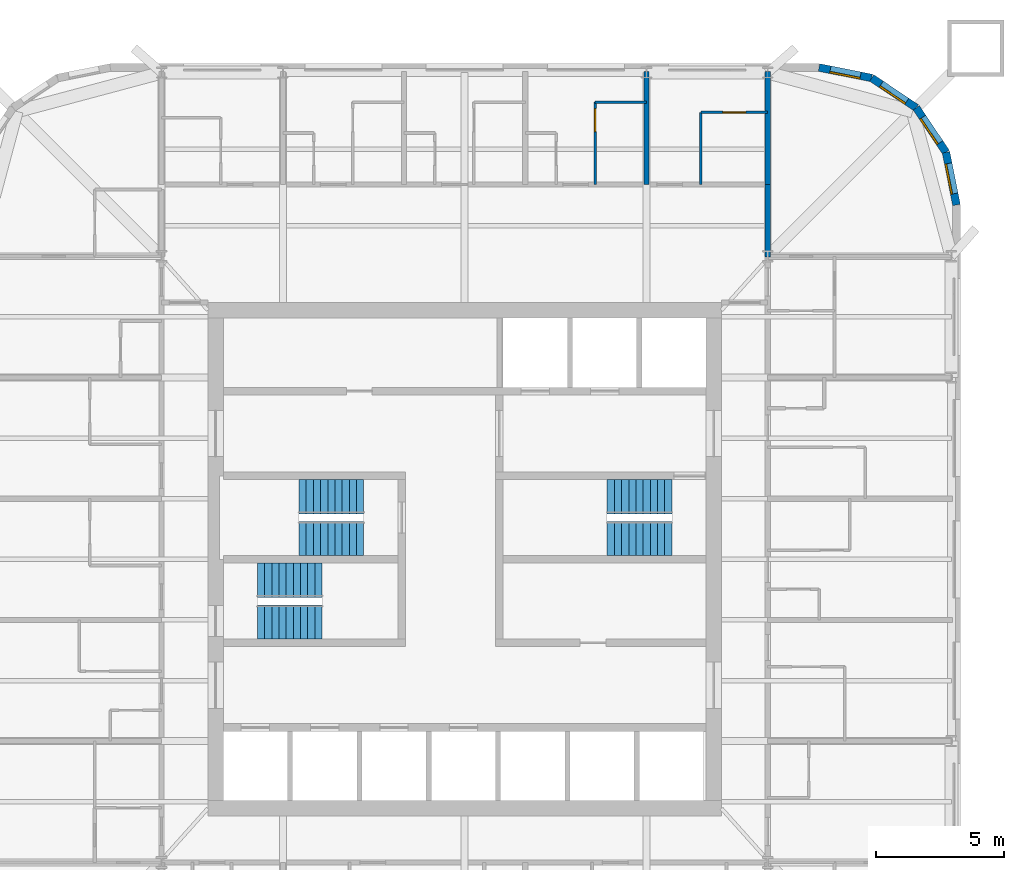
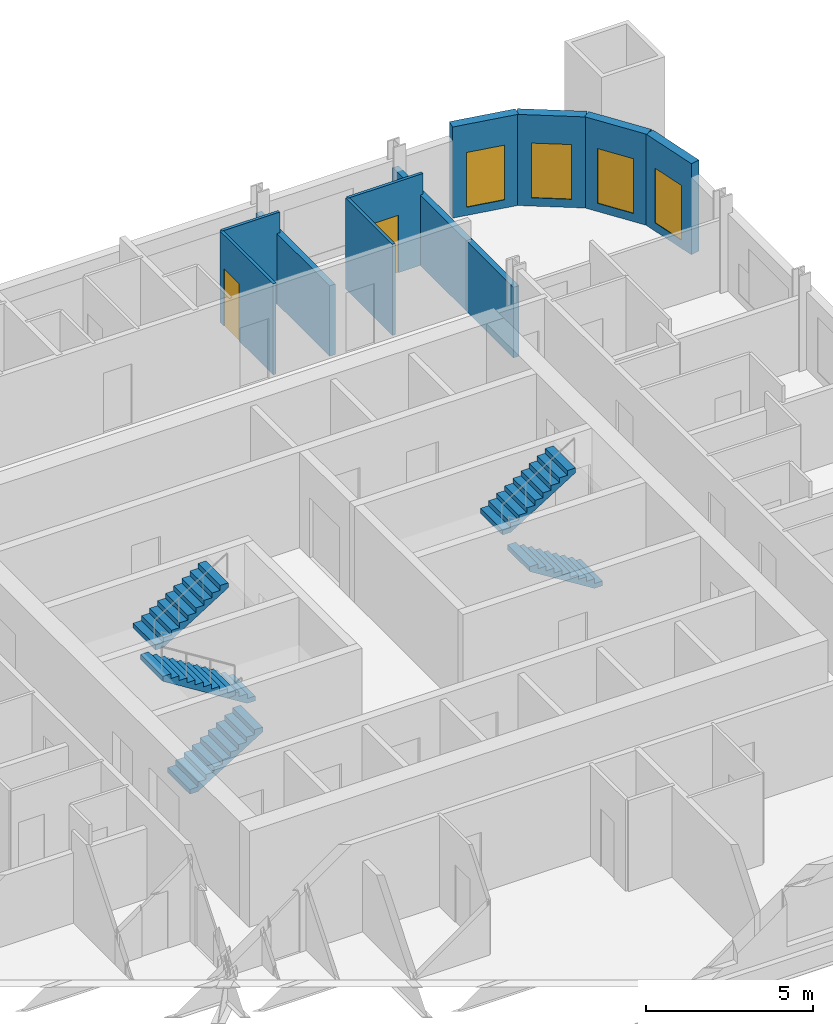
# One storey, part 8 of 9: 11 walls, 6 stair flights, 4 windows, 2 doors, 6 openings, 3 elements without a shape of their own.
"""IFC4 building model written with IfcOpenShell, lengths in metres."""

from ifc_helpers import new_model, si_unit, direction, frame, frame_2d, origin, place, context, subcontext, project, spatial, polyline, rectangle, outline, extrude, material, layer, layer_set, type_object, element, fill, aggregate, save


model = new_model("IFC4")

# Units and contexts
model_context = context("Model", 3, precision=1e-05, world=origin(), true_north=direction((0.0, 1.0)))
body_context = subcontext(model_context, "Body", "Model", "MODEL_VIEW")
ifc_project = project(units=[si_unit("LENGTHUNIT", "METRE"), si_unit("AREAUNIT", "SQUARE_METRE"), si_unit("VOLUMEUNIT", "CUBIC_METRE"), si_unit("PLANEANGLEUNIT", "RADIAN"), si_unit("MASSUNIT", "GRAM", prefix="KILO")], contexts=[model_context])

# Site, building, storey
site_placement = place(None, origin())
site = spatial("IfcSite", under=ifc_project, at=site_placement, CompositionType="ELEMENT")
building_placement = place(site_placement, origin())
building = spatial("IfcBuilding", under=site, at=building_placement, Name="Turquesa Mirador Hotel Tower", CompositionType="ELEMENT")
storey_placement = place(building_placement, frame((0.0, 0.0, 172.300048828125)))
storey = spatial("IfcBuildingStorey", under=building, at=storey_placement, Name="L46", CompositionType="ELEMENT", Elevation=172.300048828125)

# Wall, opening, door
ifc_material_1 = material(Name="Gypsum board on steel studs", Category="steel")
ifc_layer_1 = layer(ifc_material_1, 0.10009765625)
ifc_layer_set_1 = layer_set([ifc_layer_1], Name="BATHROOM WALL 100")
wall_type_1 = type_object("IfcWallType", Name="BATHROOM WALL 100", PredefinedType="PARTITIONING", material=ifc_layer_set_1)
wall_1_placement = place(storey_placement, frame((64.199951171875, 62.39990234375, 0.0), z_axis=(0.0, 0.0, 1.0), x_axis=(1.0, 0.0, 0.0)))
wall_1 = element("IfcWall", 1, at=wall_1_placement, inside=storey, type_object=wall_type_1, Name="Partition L46 035", PredefinedType="PARTITIONING", context=body_context, shape_type="SweptSolid", body=[
    extrude(rectangle(XDim=2.60009765625, YDim=0.10009765625, at=frame_2d((1.300048828125, 0.0))), origin(), (0.0, 0.0, 1.0), 3.329833984375),
])
opening_1_placement = place(wall_1_placement, frame((0.85009765625, 0.0, 0.0)))
opening_1 = element("IfcOpeningElement", 2, at=opening_1_placement, cuts=wall_1, Name="Opening D02", PredefinedType="OPENING", context=body_context, shape_type="SweptSolid", body=[
    extrude(rectangle(XDim=0.89990234375, YDim=2.10009765625, at=frame_2d((0.449951171875, 1.050048828125))), frame((0.0, 0.06005859375, 0.0), z_axis=(0.0, -1.0, 0.0), x_axis=(1.0, 0.0, 0.0)), (0.0, 0.0, 1.0), 0.1201171875),
])
ifc_material_2 = material(Name="Timber veneered door", Category="wood")
door_type = type_object("IfcDoorType", Name="DOOR 900X2100 EN-SUITE", OperationType="SINGLE_SWING_RIGHT", PredefinedType="DOOR", material=ifc_material_2)
door_1_placement = place(opening_1_placement, origin())
door_1 = element("IfcDoor", 3, at=door_1_placement, inside=storey, type_object=door_type, Name="Door 4605B", OperationType="SINGLE_SWING_RIGHT", OverallHeight=2.10009765625, OverallWidth=0.89990234375, PredefinedType="DOOR", context=body_context, shape_type="SweptSolid", body=[
    extrude(rectangle(XDim=0.89990234375, YDim=2.10009765625, at=frame_2d((0.449951171875, 1.050048828125))), frame((0.0, 0.02490234375, 0.0), z_axis=(0.0, -1.0, 0.0), x_axis=(1.0, 0.0, 0.0)), (0.0, 0.0, 1.0), 0.050048828125),
])
fill(opening_1, door_1)

# Wall
wall_2_placement = place(storey_placement, frame((60.080078125, 62.800048828125, 0.0), z_axis=(0.0, 0.0, 1.0), x_axis=(1.0, 0.0, 0.0)))
element("IfcWall", 4, at=wall_2_placement, inside=storey, type_object=wall_type_1, Name="Partition L46 038", PredefinedType="PARTITIONING", context=body_context, shape_type="SweptSolid", body=[
    extrude(rectangle(XDim=2.0, YDim=0.10009765625, at=frame_2d((1.0, 0.0))), origin(), (0.0, 0.0, 1.0), 3.329833984375),
])

# Wall, opening, door
wall_3_placement = place(storey_placement, frame((60.080078125, 59.60009765625, 0.0), z_axis=(0.0, 0.0, 1.0), x_axis=(0.0, 1.0, 0.0)))
wall_3 = element("IfcWall", 5, at=wall_3_placement, inside=storey, type_object=wall_type_1, Name="Partition L46 089", PredefinedType="PARTITIONING", context=body_context, shape_type="SweptSolid", body=[
    extrude(rectangle(XDim=3.199951171875, YDim=0.10009765625, at=frame_2d((1.60009765625, 0.0))), origin(), (0.0, 0.0, 1.0), 3.329833984375),
])
opening_2_placement = place(wall_3_placement, frame((2.050048828125, 0.0, 0.0)))
opening_2 = element("IfcOpeningElement", 6, at=opening_2_placement, cuts=wall_3, Name="Opening D02", PredefinedType="OPENING", context=body_context, shape_type="SweptSolid", body=[
    extrude(rectangle(XDim=0.89990234375, YDim=2.10009765625, at=frame_2d((0.449951171875, 1.050048828125))), frame((0.0, 0.06005859375, 0.0), z_axis=(0.0, -1.0, 0.0), x_axis=(1.0, 0.0, 0.0)), (0.0, 0.0, 1.0), 0.1201171875),
])
door_2_placement = place(opening_2_placement, origin())
door_2 = element("IfcDoor", 7, at=door_2_placement, inside=storey, type_object=door_type, Name="Door 4604B", OperationType="SINGLE_SWING_RIGHT", OverallHeight=2.10009765625, OverallWidth=0.89990234375, PredefinedType="DOOR", context=body_context, shape_type="SweptSolid", body=[
    extrude(rectangle(XDim=0.89990234375, YDim=2.10009765625, at=frame_2d((0.449951171875, 1.050048828125))), frame((0.0, 0.02490234375, 0.0), z_axis=(0.0, -1.0, 0.0), x_axis=(1.0, 0.0, 0.0)), (0.0, 0.0, 1.0), 0.050048828125),
])
fill(opening_2, door_2)

# Walls
wall_4_placement = place(storey_placement, frame((64.199951171875, 59.60009765625, 0.0), z_axis=(0.0, 0.0, 1.0), x_axis=(0.0, 1.0, 0.0)))
element("IfcWall", 8, at=wall_4_placement, inside=storey, type_object=wall_type_1, Name="Partition L46 091", PredefinedType="PARTITIONING", context=body_context, shape_type="SweptSolid", body=[
    extrude(rectangle(XDim=2.7998046875, YDim=0.10009765625, at=frame_2d((1.39990234375, 0.0))), origin(), (0.0, 0.0, 1.0), 3.329833984375),
])
ifc_material_3 = material(Name="Fire-rated gypsum board on steel studs", Category="steel")
ifc_layer_2 = layer(ifc_material_3, 0.199951171875)
ifc_layer_set_2 = layer_set([ifc_layer_2], Name="CORRIDOR WALL 200")
wall_type_2 = type_object("IfcWallType", Name="CORRIDOR WALL 200", PredefinedType="PARTITIONING", material=ifc_layer_set_2)
wall_5_placement = place(storey_placement, frame((66.800048828125, 56.780029296875, 0.0), z_axis=(0.0, 0.0, 1.0), x_axis=(0.0, 1.0, 0.0)))
element("IfcWall", 9, at=wall_5_placement, inside=storey, type_object=wall_type_2, Name="Partition L46 093", PredefinedType="PARTITIONING", context=body_context, shape_type="SweptSolid", body=[
    extrude(rectangle(XDim=2.820068359375, YDim=0.199951171875, at=frame_2d((1.41015625, 0.0))), origin(), (0.0, 0.0, 1.0), 2.572998046875),
])

# Wall, opening, window
ifc_material_4 = material(Name="Limestone cladding on concrete block", Category="masonry")
ifc_layer_3 = layer(ifc_material_4, 0.300048828125)
ifc_layer_set_3 = layer_set([ifc_layer_3], Name="FACADE WALL 300 STONE SCREEN")
wall_type_3 = type_object("IfcWallType", Name="FACADE WALL 300 STONE SCREEN", PredefinedType="SOLIDWALL", material=ifc_layer_set_3)
wall_6_placement = place(storey_placement, frame((74.14990234375, 58.800048828125, 0.0), z_axis=(0.0, 0.0, 1.0), x_axis=(-0.195081421501, 0.980787050784, 0.0)))
wall_6 = element("IfcWall", 10, at=wall_6_placement, inside=storey, type_object=wall_type_3, Name="Facade wall L46 05", PredefinedType="SOLIDWALL", context=body_context, shape_type="SweptSolid", body=[
    extrude(rectangle(XDim=2.08740234375, YDim=0.300048828125, at=frame_2d((1.043701171875, 0.0))), origin(), (0.0, 0.0, 1.0), 3.329833984375),
])
opening_3_placement = place(wall_6_placement, frame((0.443603515625, 0.0, 0.300048828125)))
opening_3 = element("IfcOpeningElement", 11, at=opening_3_placement, cuts=wall_6, Name="Opening WN4", PredefinedType="OPENING", context=body_context, shape_type="SweptSolid", body=[
    extrude(rectangle(XDim=1.199951171875, YDim=2.0, at=frame_2d((0.60009765625, 1.0))), frame((0.0, 0.159912109375, 0.0), z_axis=(0.0, -1.0, 0.0), x_axis=(1.0, 0.0, 0.0)), (0.0, 0.0, 1.0), 0.320068359375),
])
ifc_material_5 = material(Name="Ceramic-fritted laminated glass", Category="glass")
window_type = type_object("IfcWindowType", Name="FRITTED CORNER WINDOW 1200X2000", PartitioningType="DOUBLE_PANEL_HORIZONTAL", PredefinedType="WINDOW", material=ifc_material_5)
window_1_placement = place(opening_3_placement, origin())
window_1 = element("IfcWindow", 12, at=window_1_placement, inside=storey, type_object=window_type, Name="Window L46", OverallHeight=2.0, OverallWidth=1.199951171875, PartitioningType="SINGLE_PANEL", PredefinedType="WINDOW", context=body_context, shape_type="SweptSolid", body=[
    extrude(rectangle(XDim=1.199951171875, YDim=2.0, at=frame_2d((0.60009765625, 1.0))), frame((0.0, 0.130126953125, 0.0), z_axis=(0.0, -1.0, 0.0), x_axis=(1.0, 0.0, 0.0)), (0.0, 0.0, 1.0), 0.06005859375),
])
fill(opening_3, window_1)

wall_7_placement = place(storey_placement, frame((73.74267578125, 60.847412109375, 0.0), z_axis=(0.0, 0.0, 1.0), x_axis=(-0.555563607591, 0.831474039234, 0.0)))
wall_7 = element("IfcWall", 13, at=wall_7_placement, inside=storey, type_object=wall_type_3, Name="Facade wall L46 06", PredefinedType="SOLIDWALL", context=body_context, shape_type="SweptSolid", body=[
    extrude(rectangle(XDim=2.08740234375, YDim=0.300048828125, at=frame_2d((1.043701171875, 0.0))), origin(), (0.0, 0.0, 1.0), 3.329833984375),
])
opening_4_placement = place(wall_7_placement, frame((0.443603515625, 0.0, 0.300048828125)))
opening_4 = element("IfcOpeningElement", 14, at=opening_4_placement, cuts=wall_7, Name="Opening WN4", PredefinedType="OPENING", context=body_context, shape_type="SweptSolid", body=[
    extrude(rectangle(XDim=1.199951171875, YDim=2.0, at=frame_2d((0.60009765625, 1.0))), frame((0.0, 0.159912109375, 0.0), z_axis=(0.0, -1.0, 0.0), x_axis=(1.0, 0.0, 0.0)), (0.0, 0.0, 1.0), 0.320068359375),
])
window_2_placement = place(opening_4_placement, origin())
window_2 = element("IfcWindow", 15, at=window_2_placement, inside=storey, type_object=window_type, Name="Window L46", OverallHeight=2.0, OverallWidth=1.199951171875, PartitioningType="SINGLE_PANEL", PredefinedType="WINDOW", context=body_context, shape_type="SweptSolid", body=[
    extrude(rectangle(XDim=1.199951171875, YDim=2.0, at=frame_2d((0.60009765625, 1.0))), frame((0.0, 0.130126953125, 0.0), z_axis=(0.0, -1.0, 0.0), x_axis=(1.0, 0.0, 0.0)), (0.0, 0.0, 1.0), 0.06005859375),
])
fill(opening_4, window_2)

wall_8_placement = place(storey_placement, frame((72.5830078125, 62.5830078125, 0.0), z_axis=(0.0, 0.0, 1.0), x_axis=(-0.831474039234, 0.555563607591, 0.0)))
wall_8 = element("IfcWall", 16, at=wall_8_placement, inside=storey, type_object=wall_type_3, Name="Facade wall L46 07", PredefinedType="SOLIDWALL", context=body_context, shape_type="SweptSolid", body=[
    extrude(rectangle(XDim=2.08740234375, YDim=0.300048828125, at=frame_2d((1.043701171875, 0.0))), origin(), (0.0, 0.0, 1.0), 3.329833984375),
])
opening_5_placement = place(wall_8_placement, frame((0.443603515625, 0.0, 0.300048828125)))
opening_5 = element("IfcOpeningElement", 17, at=opening_5_placement, cuts=wall_8, Name="Opening WN4", PredefinedType="OPENING", context=body_context, shape_type="SweptSolid", body=[
    extrude(rectangle(XDim=1.199951171875, YDim=2.0, at=frame_2d((0.60009765625, 1.0))), frame((0.0, 0.159912109375, 0.0), z_axis=(0.0, -1.0, 0.0), x_axis=(1.0, 0.0, 0.0)), (0.0, 0.0, 1.0), 0.320068359375),
])
window_3_placement = place(opening_5_placement, origin())
window_3 = element("IfcWindow", 18, at=window_3_placement, inside=storey, type_object=window_type, Name="Window L46", OverallHeight=2.0, OverallWidth=1.199951171875, PartitioningType="SINGLE_PANEL", PredefinedType="WINDOW", context=body_context, shape_type="SweptSolid", body=[
    extrude(rectangle(XDim=1.199951171875, YDim=2.0, at=frame_2d((0.60009765625, 1.0))), frame((0.0, 0.130126953125, 0.0), z_axis=(0.0, -1.0, 0.0), x_axis=(1.0, 0.0, 0.0)), (0.0, 0.0, 1.0), 0.06005859375),
])
fill(opening_5, window_3)

wall_9_placement = place(storey_placement, frame((70.847412109375, 63.74267578125, 0.0), z_axis=(0.0, 0.0, 1.0), x_axis=(-0.980787050784, 0.195081421501, 0.0)))
wall_9 = element("IfcWall", 19, at=wall_9_placement, inside=storey, type_object=wall_type_3, Name="Facade wall L46 08", PredefinedType="SOLIDWALL", context=body_context, shape_type="SweptSolid", body=[
    extrude(rectangle(XDim=2.08740234375, YDim=0.300048828125, at=frame_2d((1.043701171875, 0.0))), origin(), (0.0, 0.0, 1.0), 3.329833984375),
])
opening_6_placement = place(wall_9_placement, frame((0.443603515625, 0.0, 0.300048828125)))
opening_6 = element("IfcOpeningElement", 20, at=opening_6_placement, cuts=wall_9, Name="Opening WN4", PredefinedType="OPENING", context=body_context, shape_type="SweptSolid", body=[
    extrude(rectangle(XDim=1.199951171875, YDim=2.0, at=frame_2d((0.60009765625, 1.0))), frame((0.0, 0.159912109375, 0.0), z_axis=(0.0, -1.0, 0.0), x_axis=(1.0, 0.0, 0.0)), (0.0, 0.0, 1.0), 0.320068359375),
])
window_4_placement = place(opening_6_placement, origin())
window_4 = element("IfcWindow", 21, at=window_4_placement, inside=storey, type_object=window_type, Name="Window L46", OverallHeight=2.0, OverallWidth=1.199951171875, PartitioningType="SINGLE_PANEL", PredefinedType="WINDOW", context=body_context, shape_type="SweptSolid", body=[
    extrude(rectangle(XDim=1.199951171875, YDim=2.0, at=frame_2d((0.60009765625, 1.0))), frame((0.0, 0.130126953125, 0.0), z_axis=(0.0, -1.0, 0.0), x_axis=(1.0, 0.0, 0.0)), (0.0, 0.0, 1.0), 0.06005859375),
])
fill(opening_6, window_4)

# Walls
ifc_material_6 = material(Name="Fire-rated gypsum board on steel studs", Category="steel")
ifc_layer_4 = layer(ifc_material_6, 0.199951171875)
ifc_layer_set_4 = layer_set([ifc_layer_4], Name="PARTY WALL 200")
wall_type_4 = type_object("IfcWallType", Name="PARTY WALL 200", PredefinedType="PARTITIONING", material=ifc_layer_set_4)
for number, where, z_axis, x_axis, name in (
    (22, (66.800048828125, 59.60009765625, 0.0), (0.0, 0.0, 1.0), (0.0, 1.0, 0.0), "Partition L46 075"),
    (23, (62.080078125, 59.60009765625, 0.0), (0.0, 0.0, 1.0), (0.0, 1.0, 0.0), "Partition L46 090"),
):
    element("IfcWall", number, at=place(storey_placement, frame(where, z_axis=z_axis, x_axis=x_axis)), inside=storey, type_object=wall_type_4, Name=name, PredefinedType="PARTITIONING", context=body_context, shape_type="SweptSolid", body=[
        extrude(rectangle(XDim=4.39990234375, YDim=0.199951171875, at=frame_2d((2.199951171875, 0.0))), origin(), (0.0, 0.0, 1.0), 2.572998046875),
    ])

# Stair, stair flights
ifc_material_7 = material(Name="Concrete C35/45", Category="concrete")
stair_type = type_object("IfcStairType", Name="ESCAPE STAIR CORE", PredefinedType="HALF_TURN_STAIR", material=ifc_material_7)
stair_1_placement = place(storey_placement, origin())
stair_1 = element("IfcStair", 24, at=stair_1_placement, inside=storey, type_object=stair_type, Name="Stair ST1 L46 to L47", PredefinedType="HALF_TURN_STAIR")
ifc_material_8 = material(Name="Concrete C35/45 precast flight", Category="concrete")
stair_flight_type = type_object("IfcStairFlightType", Name="STAIR FLIGHT 1330", PredefinedType="STRAIGHT", material=ifc_material_8)
stair_flight_1_placement = place(storey_placement, frame((51.070068359375, 45.81494140625, 0.0), z_axis=(0.0, 0.0, 1.0), x_axis=(-1.0, 0.0, 0.0)))
stair_flight_1 = element("IfcStairFlight", 25, at=stair_flight_1_placement, type_object=stair_flight_type, Name="ST1 flight 1", NumberOfRisers=10, NumberOfTreads=9, PredefinedType="STRAIGHT", RiserHeight=0.175, TreadLength=0.28, context=body_context, shape_type="SweptSolid", body=[
    extrude(outline(polyline([(0.0, 0.0), (0.0, 0.175048828125), (0.280029296875, 0.175048828125), (0.280029296875, 0.35009765625), (0.56005859375, 0.35009765625), (0.56005859375, 0.52490234375), (0.840087890625, 0.52490234375), (0.840087890625, 0.699951171875), (1.1201171875, 0.699951171875), (1.1201171875, 0.875), (1.39990234375, 0.875), (1.39990234375, 1.050048828125), (1.679931640625, 1.050048828125), (1.679931640625, 1.22509765625), (1.9599609375, 1.22509765625), (1.9599609375, 1.39990234375), (2.239990234375, 1.39990234375), (2.239990234375, 1.574951171875), (2.52001953125, 1.574951171875), (2.52001953125, 1.75), (2.52001953125, 1.398193359375), (0.28271484375, 0.0), (0.0, 0.0)])), frame((0.0, 0.6650390625, 0.0), z_axis=(0.0, -1.0, 0.0), x_axis=(1.0, 0.0, 0.0)), (0.0, 0.0, 1.0), 1.330078125),
])
stair_flight_2_placement = place(storey_placement, frame((48.550048828125, 47.43505859375, 1.75), z_axis=(0.0, 0.0, 1.0), x_axis=(1.0, 0.0, 0.0)))
stair_flight_2 = element("IfcStairFlight", 26, at=stair_flight_2_placement, type_object=stair_flight_type, Name="ST1 flight 2", NumberOfRisers=10, NumberOfTreads=9, PredefinedType="STRAIGHT", RiserHeight=0.175, TreadLength=0.28, context=body_context, shape_type="SweptSolid", body=[
    extrude(outline(polyline([(0.0, 0.0), (0.0, 0.175048828125), (0.280029296875, 0.175048828125), (0.280029296875, 0.35009765625), (0.56005859375, 0.35009765625), (0.56005859375, 0.52490234375), (0.840087890625, 0.52490234375), (0.840087890625, 0.699951171875), (1.1201171875, 0.699951171875), (1.1201171875, 0.875), (1.39990234375, 0.875), (1.39990234375, 1.050048828125), (1.679931640625, 1.050048828125), (1.679931640625, 1.22509765625), (1.9599609375, 1.22509765625), (1.9599609375, 1.39990234375), (2.239990234375, 1.39990234375), (2.239990234375, 1.574951171875), (2.52001953125, 1.574951171875), (2.52001953125, 1.75), (2.52001953125, 1.398193359375), (0.28271484375, 0.0), (0.0, 0.0)])), frame((0.0, 0.6650390625, 0.0), z_axis=(0.0, -1.0, 0.0), x_axis=(1.0, 0.0, 0.0)), (0.0, 0.0, 1.0), 1.330078125),
])
aggregate(stair_1, [stair_flight_1, stair_flight_2])

stair_2_placement = place(storey_placement, origin())
stair_2 = element("IfcStair", 27, at=stair_2_placement, inside=storey, type_object=stair_type, Name="Stair ST2 L46 to L47", PredefinedType="HALF_TURN_STAIR")
stair_flight_3_placement = place(storey_placement, frame((46.929931640625, 42.56494140625, 0.0), z_axis=(0.0, 0.0, 1.0), x_axis=(1.0, 0.0, 0.0)))
stair_flight_3 = element("IfcStairFlight", 28, at=stair_flight_3_placement, type_object=stair_flight_type, Name="ST2 flight 1", NumberOfRisers=10, NumberOfTreads=9, PredefinedType="STRAIGHT", RiserHeight=0.175, TreadLength=0.28, context=body_context, shape_type="SweptSolid", body=[
    extrude(outline(polyline([(0.0, 0.0), (0.0, 0.175048828125), (0.280029296875, 0.175048828125), (0.280029296875, 0.35009765625), (0.56005859375, 0.35009765625), (0.56005859375, 0.52490234375), (0.840087890625, 0.52490234375), (0.840087890625, 0.699951171875), (1.1201171875, 0.699951171875), (1.1201171875, 0.875), (1.39990234375, 0.875), (1.39990234375, 1.050048828125), (1.679931640625, 1.050048828125), (1.679931640625, 1.22509765625), (1.9599609375, 1.22509765625), (1.9599609375, 1.39990234375), (2.239990234375, 1.39990234375), (2.239990234375, 1.574951171875), (2.52001953125, 1.574951171875), (2.52001953125, 1.75), (2.52001953125, 1.398193359375), (0.28271484375, 0.0), (0.0, 0.0)])), frame((0.0, 0.6650390625, 0.0), z_axis=(0.0, -1.0, 0.0), x_axis=(1.0, 0.0, 0.0)), (0.0, 0.0, 1.0), 1.330078125),
])
stair_flight_4_placement = place(storey_placement, frame((49.449951171875, 44.18505859375, 1.75), z_axis=(0.0, 0.0, 1.0), x_axis=(-1.0, 0.0, 0.0)))
stair_flight_4 = element("IfcStairFlight", 29, at=stair_flight_4_placement, type_object=stair_flight_type, Name="ST2 flight 2", NumberOfRisers=10, NumberOfTreads=9, PredefinedType="STRAIGHT", RiserHeight=0.175, TreadLength=0.28, context=body_context, shape_type="SweptSolid", body=[
    extrude(outline(polyline([(0.0, 0.0), (0.0, 0.175048828125), (0.280029296875, 0.175048828125), (0.280029296875, 0.35009765625), (0.56005859375, 0.35009765625), (0.56005859375, 0.52490234375), (0.840087890625, 0.52490234375), (0.840087890625, 0.699951171875), (1.1201171875, 0.699951171875), (1.1201171875, 0.875), (1.39990234375, 0.875), (1.39990234375, 1.050048828125), (1.679931640625, 1.050048828125), (1.679931640625, 1.22509765625), (1.9599609375, 1.22509765625), (1.9599609375, 1.39990234375), (2.239990234375, 1.39990234375), (2.239990234375, 1.574951171875), (2.52001953125, 1.574951171875), (2.52001953125, 1.75), (2.52001953125, 1.398193359375), (0.28271484375, 0.0), (0.0, 0.0)])), frame((0.0, 0.6650390625, 0.0), z_axis=(0.0, -1.0, 0.0), x_axis=(1.0, 0.0, 0.0)), (0.0, 0.0, 1.0), 1.330078125),
])
aggregate(stair_2, [stair_flight_3, stair_flight_4])

stair_3_placement = place(storey_placement, origin())
stair_3 = element("IfcStair", 30, at=stair_3_placement, inside=storey, type_object=stair_type, Name="Stair ST3 L46 to L47", PredefinedType="HALF_TURN_STAIR")
stair_flight_5_placement = place(storey_placement, frame((63.070068359375, 45.81494140625, 0.0), z_axis=(0.0, 0.0, 1.0), x_axis=(-1.0, 0.0, 0.0)))
stair_flight_5 = element("IfcStairFlight", 31, at=stair_flight_5_placement, type_object=stair_flight_type, Name="ST3 flight 1", NumberOfRisers=10, NumberOfTreads=9, PredefinedType="STRAIGHT", RiserHeight=0.175, TreadLength=0.28, context=body_context, shape_type="SweptSolid", body=[
    extrude(outline(polyline([(0.0, 0.0), (0.0, 0.175048828125), (0.280029296875, 0.175048828125), (0.280029296875, 0.35009765625), (0.56005859375, 0.35009765625), (0.56005859375, 0.52490234375), (0.840087890625, 0.52490234375), (0.840087890625, 0.699951171875), (1.1201171875, 0.699951171875), (1.1201171875, 0.875), (1.39990234375, 0.875), (1.39990234375, 1.050048828125), (1.679931640625, 1.050048828125), (1.679931640625, 1.22509765625), (1.9599609375, 1.22509765625), (1.9599609375, 1.39990234375), (2.239990234375, 1.39990234375), (2.239990234375, 1.574951171875), (2.52001953125, 1.574951171875), (2.52001953125, 1.75), (2.52001953125, 1.398193359375), (0.28271484375, 0.0), (0.0, 0.0)])), frame((0.0, 0.6650390625, 0.0), z_axis=(0.0, -1.0, 0.0), x_axis=(1.0, 0.0, 0.0)), (0.0, 0.0, 1.0), 1.330078125),
])
stair_flight_6_placement = place(storey_placement, frame((60.550048828125, 47.43505859375, 1.75), z_axis=(0.0, 0.0, 1.0), x_axis=(1.0, 0.0, 0.0)))
stair_flight_6 = element("IfcStairFlight", 32, at=stair_flight_6_placement, type_object=stair_flight_type, Name="ST3 flight 2", NumberOfRisers=10, NumberOfTreads=9, PredefinedType="STRAIGHT", RiserHeight=0.175, TreadLength=0.28, context=body_context, shape_type="SweptSolid", body=[
    extrude(outline(polyline([(0.0, 0.0), (0.0, 0.175048828125), (0.280029296875, 0.175048828125), (0.280029296875, 0.35009765625), (0.56005859375, 0.35009765625), (0.56005859375, 0.52490234375), (0.840087890625, 0.52490234375), (0.840087890625, 0.699951171875), (1.1201171875, 0.699951171875), (1.1201171875, 0.875), (1.39990234375, 0.875), (1.39990234375, 1.050048828125), (1.679931640625, 1.050048828125), (1.679931640625, 1.22509765625), (1.9599609375, 1.22509765625), (1.9599609375, 1.39990234375), (2.239990234375, 1.39990234375), (2.239990234375, 1.574951171875), (2.52001953125, 1.574951171875), (2.52001953125, 1.75), (2.52001953125, 1.398193359375), (0.28271484375, 0.0), (0.0, 0.0)])), frame((0.0, 0.6650390625, 0.0), z_axis=(0.0, -1.0, 0.0), x_axis=(1.0, 0.0, 0.0)), (0.0, 0.0, 1.0), 1.330078125),
])
aggregate(stair_3, [stair_flight_5, stair_flight_6])

save(model, "model.ifc")
